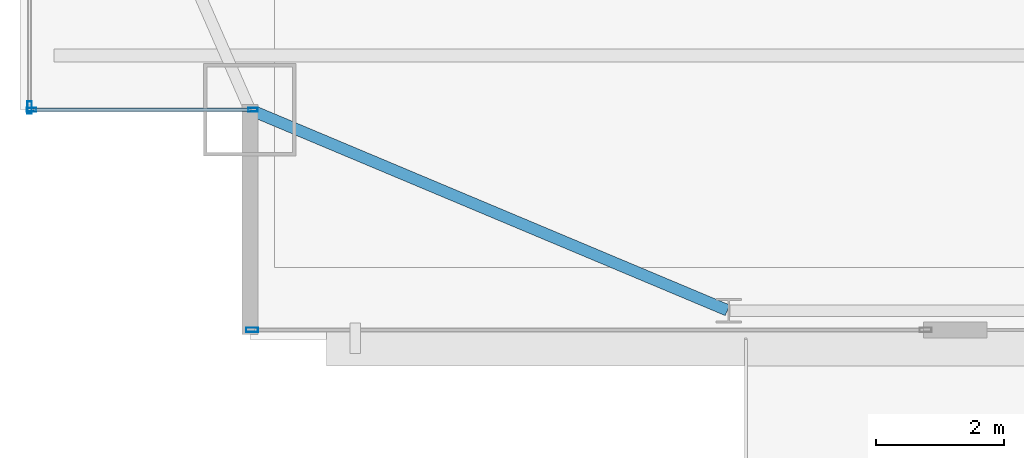
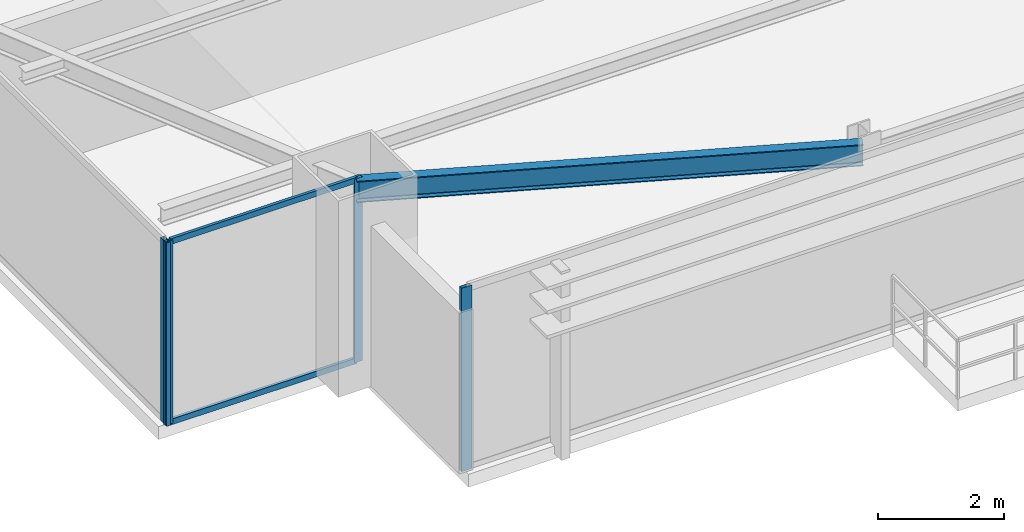
# One storey, part 3 of 37: 6 members, 1 beam, 3 elements without a shape of their own.
"""IFC4 building model written with IfcOpenShell, lengths in metres."""

from ifc_helpers import new_model, si_unit, direction, frame, origin, origin_2d, place, context, subcontext, project, spatial, hollow_rectangle, i_section, extrude, source, transform, mapped, material, layer, layer_set, material_profile, profile_set, type_object, type_shapes, element, aggregate, save


model = new_model("IFC4")

# Units and contexts
model_context = context("Model", 3, precision=1e-05, world=origin(), true_north=direction((0.0, 1.0)))
body_context = subcontext(model_context, "Body", "Model", "MODEL_VIEW")
ifc_project = project(units=[si_unit("LENGTHUNIT", "METRE"), si_unit("AREAUNIT", "SQUARE_METRE"), si_unit("VOLUMEUNIT", "CUBIC_METRE"), si_unit("PLANEANGLEUNIT", "RADIAN"), si_unit("MASSUNIT", "GRAM", prefix="KILO")], contexts=[model_context])

# Site, building, storey
site_placement = place(None, origin())
site = spatial("IfcSite", under=ifc_project, at=site_placement, CompositionType="ELEMENT")
building_placement = place(site_placement, origin())
building = spatial("IfcBuilding", under=site, at=building_placement, Name="Varnel Quay Broadcast Tower", CompositionType="ELEMENT")
storey_placement = place(building_placement, frame((0.0, 0.0, 125.800048828125)))
storey = spatial("IfcBuildingStorey", under=building, at=storey_placement, Name="L30", CompositionType="ELEMENT", Elevation=125.800048828125)

# Beam
ifc_material_1 = material(Name="Structural Steel CSA G40.21 350W", Category="steel")
ifc_material_profile_1 = material_profile(ifc_material_1, i_section(OverallWidth=0.180908203125, OverallDepth=0.4169921875, WebThickness=0.010986328125, FlangeThickness=0.018310546875, FilletRadius=0.011962890625, at=origin_2d()), Name="W410X85")
ifc_profile_set_1 = profile_set([ifc_material_profile_1], Name="Structural Steel CSA G40.21 350W")
beam_type = type_object("IfcBeamType", Name="Beam_W410X85", PredefinedType="SPANDREL", material=ifc_profile_set_1)
shared_shape_1 = source(origin(), body_context, "Body", "SweptSolid", [
    extrude(i_section(OverallWidth=0.180908203125, OverallDepth=0.4169921875, WebThickness=0.010986328125, FlangeThickness=0.018310546875, FilletRadius=0.011962890625, at=origin_2d()), origin(), (0.0, 0.0, 1.0), 8.0947265625),
])
type_shapes(beam_type, [shared_shape_1])
beam_placement = place(storey_placement, frame((8.118408203125, 7.792236328125, 3.341552734375), z_axis=(0.921981890247, -0.387232997117, 0.0), x_axis=(0.387232997117, 0.921981890247, 0.0)))
element("IfcBeam", 1, at=beam_placement, inside=storey, type_object=beam_type, Name="L30 South Spandrel MC-SW-TC-S1", PredefinedType="SPANDREL", context=body_context, shape_type="MappedRepresentation", body=[
    mapped(shared_shape_1, transform((0.0, 0.0, 0.0), x_axis=(1.0, 0.0, 0.0), y_axis=(0.0, 1.0, 0.0), z_axis=(0.0, 0.0, 1.0), scale=1.0)),
])

# Curtain wall, members
ifc_material_2 = material(Name="Anodised Bronze Aluminium 6063-T6", Category="aluminium")
ifc_layer_1 = layer(ifc_material_2, 0.18994140625, Name="Anodised Bronze Aluminium 6063-T6")
ifc_layer_set_1 = layer_set([ifc_layer_1], Name="Anodised Bronze Aluminium 6063-T6")
curtain_wall_type_1 = type_object("IfcCurtainWallType", Name="CW_NotchCorner", PredefinedType="NOTDEFINED", material=ifc_layer_set_1)
curtain_wall_1_placement = place(storey_placement, origin())
curtain_wall_1 = element("IfcCurtainWall", 2, at=curtain_wall_1_placement, inside=storey, type_object=curtain_wall_type_1, Name="L30 SW Notch Curtain Wall", PredefinedType="NOTDEFINED")
ifc_material_profile_2 = material_profile(ifc_material_2, hollow_rectangle(XDim=0.054931640625, YDim=0.110107421875, WallThickness=0.0029296875, at=origin_2d()), Name="ALU55X110X3")
ifc_profile_set_2 = profile_set([ifc_material_profile_2], Name="Anodised Bronze Aluminium 6063-T6")
member_type_1 = type_object("IfcMemberType", Name="Tran_CWS-04", PredefinedType="USERDEFINED", material=ifc_profile_set_2)
shared_shape_2 = source(origin(), body_context, "Body", "SweptSolid", [
    extrude(hollow_rectangle(XDim=0.054931640625, YDim=0.110107421875, WallThickness=0.0029296875, at=origin_2d()), origin(), (0.0, 0.0, 1.0), 3.41015625),
])
type_shapes(member_type_1, [shared_shape_2])
member_1_placement = place(storey_placement, frame((4.7099609375, 7.800048828125, 0.02734375), z_axis=(1.0, 0.0, 0.0), x_axis=(0.0, 1.0, 0.0)))
member_1 = element("IfcMember", 3, at=member_1_placement, type_object=member_type_1, Name="CWS-04 transom 1.1", ObjectType="TRANSOM", PredefinedType="USERDEFINED", context=body_context, shape_type="MappedRepresentation", body=[
    mapped(shared_shape_2, transform((0.0, 0.0, 0.0), x_axis=(1.0, 0.0, 0.0), y_axis=(0.0, 1.0, 0.0), z_axis=(0.0, 0.0, 1.0), scale=1.0)),
])
member_2_placement = place(storey_placement, frame((4.7099609375, 7.800048828125, 3.5224609375), z_axis=(1.0, 0.0, 0.0), x_axis=(0.0, 1.0, 0.0)))
member_2 = element("IfcMember", 4, at=member_2_placement, type_object=member_type_1, Name="CWS-04 transom 1.2", ObjectType="TRANSOM", PredefinedType="USERDEFINED", context=body_context, shape_type="MappedRepresentation", body=[
    mapped(shared_shape_2, transform((0.0, 0.0, 0.0), x_axis=(1.0, 0.0, 0.0), y_axis=(0.0, 1.0, 0.0), z_axis=(0.0, 0.0, 1.0), scale=1.0)),
])

# Curtain wall, member
ifc_layer_2 = layer(ifc_material_2, 0.18994140625, Name="Anodised Bronze Aluminium 6063-T6")
ifc_layer_set_2 = layer_set([ifc_layer_2], Name="Anodised Bronze Aluminium 6063-T6")
curtain_wall_type_2 = type_object("IfcCurtainWallType", Name="CW_LowerTower", PredefinedType="NOTDEFINED", material=ifc_layer_set_2)
curtain_wall_2_placement = place(storey_placement, origin())
curtain_wall_2 = element("IfcCurtainWall", 5, at=curtain_wall_2_placement, inside=storey, type_object=curtain_wall_type_2, Name="L30 South Unitised Curtain Wall 1", PredefinedType="NOTDEFINED")
ifc_material_profile_3 = material_profile(ifc_material_2, hollow_rectangle(XDim=0.070068359375, YDim=0.18994140625, WallThickness=0.00390625, at=origin_2d()), Name="ALU70X190X4")
ifc_profile_set_3 = profile_set([ifc_material_profile_3], Name="Anodised Bronze Aluminium 6063-T6")
member_type_2 = type_object("IfcMemberType", Name="Mull_CWS-02", PredefinedType="MULLION", material=ifc_profile_set_3)
shared_shape_3 = source(origin(), body_context, "Body", "SweptSolid", [
    extrude(hollow_rectangle(XDim=0.070068359375, YDim=0.18994140625, WallThickness=0.00390625, at=origin_2d()), origin(), (0.0, 0.0, 1.0), 3.550048828125),
])
type_shapes(member_type_2, [shared_shape_3])
member_3_placement = place(storey_placement, frame((8.135009765625, 4.35009765625, 0.0), z_axis=(0.0, 0.0, 1.0), x_axis=(0.0, 1.0, 0.0)))
member_3 = element("IfcMember", 6, at=member_3_placement, type_object=member_type_2, Name="CWS-02 mullion 1", PredefinedType="MULLION", context=body_context, shape_type="MappedRepresentation", body=[
    mapped(shared_shape_3, transform((0.0, 0.0, 0.0), x_axis=(1.0, 0.0, 0.0), y_axis=(0.0, 1.0, 0.0), z_axis=(0.0, 0.0, 1.0), scale=1.0)),
])
aggregate(curtain_wall_2, [member_3])

curtain_wall_3_placement = place(storey_placement, origin())
curtain_wall_3 = element("IfcCurtainWall", 7, at=curtain_wall_3_placement, inside=storey, type_object=curtain_wall_type_2, Name="L30 West Unitised Curtain Wall", PredefinedType="NOTDEFINED")
member_4_placement = place(storey_placement, frame((4.64990234375, 7.8349609375, 0.0), z_axis=(0.0, 0.0, 1.0), x_axis=(-1.0, 0.0, 0.0)))
member_4 = element("IfcMember", 8, at=member_4_placement, type_object=member_type_2, Name="CWS-02 mullion 1", PredefinedType="MULLION", context=body_context, shape_type="MappedRepresentation", body=[
    mapped(shared_shape_3, transform((0.0, 0.0, 0.0), x_axis=(1.0, 0.0, 0.0), y_axis=(0.0, 1.0, 0.0), z_axis=(0.0, 0.0, 1.0), scale=1.0)),
])
aggregate(curtain_wall_3, [member_4])

# Member
ifc_material_profile_4 = material_profile(ifc_material_2, hollow_rectangle(XDim=0.06005859375, YDim=0.14501953125, WallThickness=0.00341796875, at=origin_2d()), Name="ALU60X145X3.5")
ifc_profile_set_4 = profile_set([ifc_material_profile_4], Name="Anodised Bronze Aluminium 6063-T6")
member_type_3 = type_object("IfcMemberType", Name="Mull_CWS-04", PredefinedType="MULLION", material=ifc_profile_set_4)
shared_shape_4 = source(origin(), body_context, "Body", "SweptSolid", [
    extrude(hollow_rectangle(XDim=0.06005859375, YDim=0.14501953125, WallThickness=0.00341796875, at=origin_2d()), origin(), (0.0, 0.0, 1.0), 3.550048828125),
])
type_shapes(member_type_3, [shared_shape_4])
member_5_placement = place(storey_placement, frame((4.679931640625, 7.800048828125, 0.0), z_axis=(0.0, 0.0, 1.0), x_axis=(0.0, 1.0, 0.0)))
member_5 = element("IfcMember", 9, at=member_5_placement, type_object=member_type_3, Name="CWS-04 mullion 1", PredefinedType="MULLION", context=body_context, shape_type="MappedRepresentation", body=[
    mapped(shared_shape_4, transform((0.0, 0.0, 0.0), x_axis=(1.0, 0.0, 0.0), y_axis=(0.0, 1.0, 0.0), z_axis=(0.0, 0.0, 1.0), scale=1.0)),
])

member_6_placement = place(storey_placement, frame((8.14990234375, 7.800048828125, 0.0), z_axis=(0.0, 0.0, 1.0), x_axis=(0.0, 1.0, 0.0)))
member_6 = element("IfcMember", 10, at=member_6_placement, type_object=member_type_3, Name="CWS-04 mullion 2", PredefinedType="MULLION", context=body_context, shape_type="MappedRepresentation", body=[
    mapped(shared_shape_4, transform((0.0, 0.0, 0.0), x_axis=(1.0, 0.0, 0.0), y_axis=(0.0, 1.0, 0.0), z_axis=(0.0, 0.0, 1.0), scale=1.0)),
])

aggregate(curtain_wall_1, [member_5, member_6, member_1, member_2])

save(model, "model.ifc")
